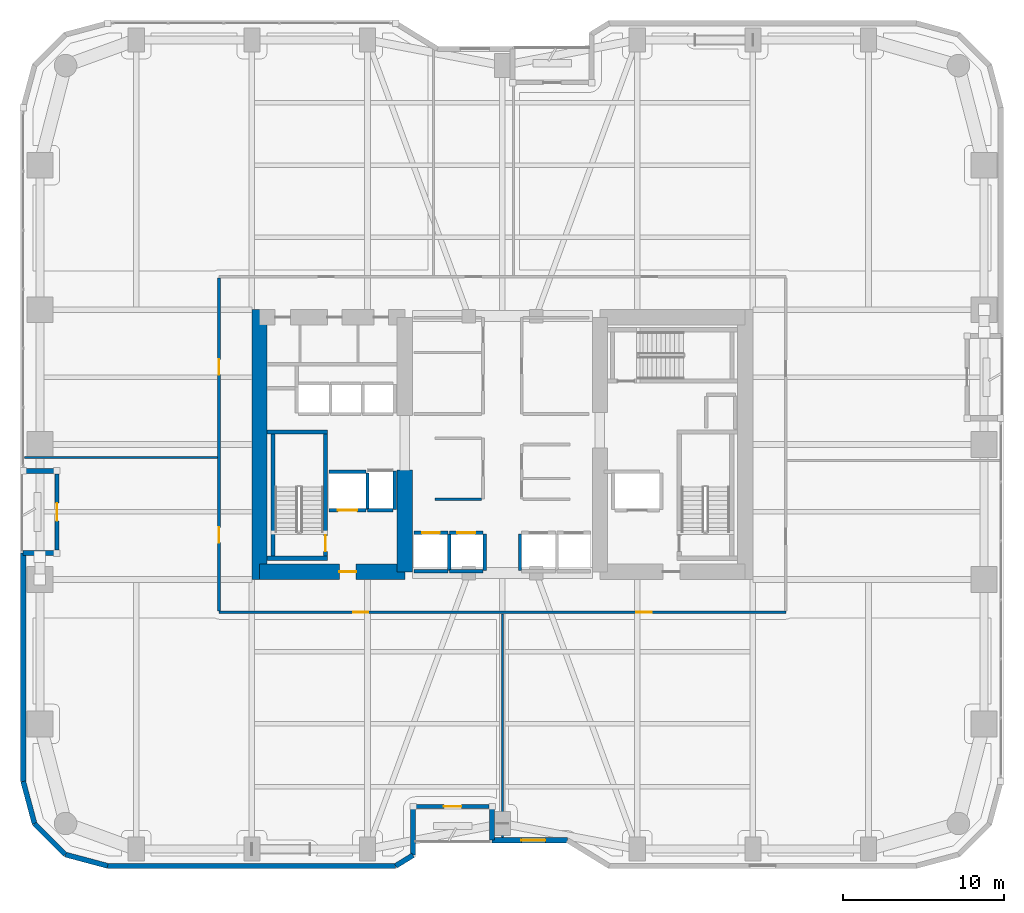
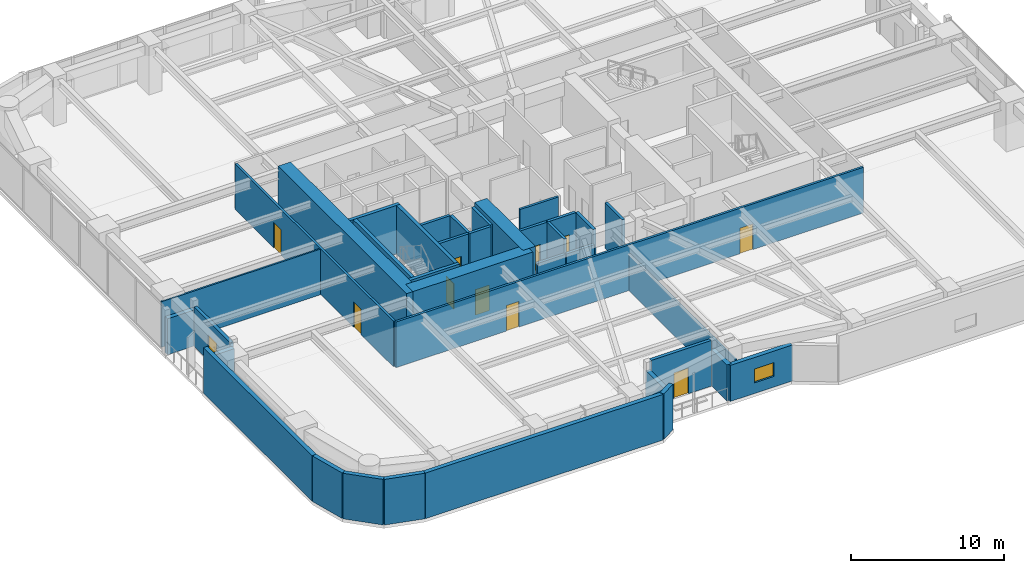
# One storey, part 22 of 29: 37 walls, 11 doors, 1 window, 12 openings.
"""IFC4 building model written with IfcOpenShell, lengths in metres."""

from ifc_helpers import new_model, si_unit, direction, frame, frame_2d, origin, place, context, subcontext, project, spatial, rectangle, extrude, material, layer, layer_set, type_object, element, fill, save


model = new_model("IFC4")

# Units and contexts
model_context = context("Model", 3, precision=1e-05, world=origin(), true_north=direction((0.0, 1.0)))
body_context = subcontext(model_context, "Body", "Model", "MODEL_VIEW")
ifc_project = project(units=[si_unit("LENGTHUNIT", "METRE"), si_unit("AREAUNIT", "SQUARE_METRE"), si_unit("VOLUMEUNIT", "CUBIC_METRE"), si_unit("PLANEANGLEUNIT", "RADIAN"), si_unit("MASSUNIT", "GRAM", prefix="KILO")], contexts=[model_context])

# Site, building, storey
site_placement = place(None, origin())
site = spatial("IfcSite", under=ifc_project, at=site_placement, CompositionType="ELEMENT")
building_placement = place(site_placement, origin())
building = spatial("IfcBuilding", under=site, at=building_placement, Name="Kiyonajd Concourse Tower", CompositionType="ELEMENT")
storey_placement = place(building_placement, frame((0.0, 0.0, 29.39990234375)))
storey = spatial("IfcBuildingStorey", under=building, at=storey_placement, Name="L08", CompositionType="ELEMENT", Elevation=29.39990234375)

# Walls
ifc_material_1 = material(Name="Concrete C80/95", Category="concrete")
ifc_layer_1 = layer(ifc_material_1, 0.949951171875)
ifc_layer_set_1 = layer_set([ifc_layer_1], Name="Concrete C80/95")
wall_type_1 = type_object("IfcWallType", Name="WL-CORE-950", PredefinedType="SHEAR", material=ifc_layer_set_1)
wall_1_placement = place(storey_placement, frame((32.875, 27.60009765625, 0.0), z_axis=(0.0, 0.0, 1.0), x_axis=(0.0, 1.0, 0.0)))
element("IfcWall", 1, at=wall_1_placement, inside=storey, type_object=wall_type_1, Name="L08 West Core Outer Shear Wall", PredefinedType="SHEAR", context=body_context, shape_type="SweptSolid", body=[
    extrude(rectangle(XDim=16.7998046875, YDim=0.949951171875, at=frame_2d((8.39990234375, 0.0))), origin(), (0.0, 0.0, 1.0), 3.900146484375),
])
wall_2_placement = place(storey_placement, frame((41.925048828125, 28.074951171875, 0.0), z_axis=(0.0, 0.0, 1.0), x_axis=(0.0, 1.0, 0.0)))
element("IfcWall", 2, at=wall_2_placement, inside=storey, type_object=wall_type_1, Name="L08 West Core Inner South Shear Wall", PredefinedType="SHEAR", context=body_context, shape_type="SweptSolid", body=[
    extrude(rectangle(XDim=6.324951171875, YDim=0.949951171875, at=frame_2d((3.16259765625, 0.0))), origin(), (0.0, 0.0, 1.0), 3.900146484375),
])

# Wall, opening, door
wall_3_placement = place(storey_placement, frame((32.875, 28.074951171875, 0.0), z_axis=(0.0, 0.0, 1.0), x_axis=(1.0, 0.0, 0.0)))
wall_3 = element("IfcWall", 3, at=wall_3_placement, inside=storey, type_object=wall_type_1, Name="L08 West Core South Shear Wall", PredefinedType="SHEAR", context=body_context, shape_type="SweptSolid", body=[
    extrude(rectangle(XDim=9.050048828125, YDim=0.949951171875, at=frame_2d((4.52490234375, 0.0))), origin(), (0.0, 0.0, 1.0), 3.900146484375),
])
opening_1_placement = place(wall_3_placement, frame((4.97509765625, 0.0, 0.0)))
opening_1 = element("IfcOpeningElement", 4, at=opening_1_placement, cuts=wall_3, Name="Opening DF5", PredefinedType="OPENING", context=body_context, shape_type="SweptSolid", body=[
    extrude(rectangle(XDim=1.050048828125, YDim=2.0400390625, at=frame_2d((0.52490234375, 1.02001953125))), frame((0.0, 0.48486328125, 0.0), z_axis=(0.0, -1.0, 0.0), x_axis=(1.0, 0.0, 0.0)), (0.0, 0.0, 1.0), 0.969970703125),
])
ifc_material_2 = material(Name="Brushed Stainless Steel Cab Assembly", Category="steel")
door_type_1 = type_object("IfcDoorType", Name="DR-FD45-1050", OperationType="NOTDEFINED", PredefinedType="DOOR", material=ifc_material_2)
door_1_placement = place(opening_1_placement, origin())
door_1 = element("IfcDoor", 5, at=door_1_placement, inside=storey, type_object=door_type_1, Name="L08 Firefighting Lift Lobby W Smoke Door", OperationType="SINGLE_SWING_LEFT", OverallHeight=2.0400390625, OverallWidth=1.050048828125, PredefinedType="DOOR", context=body_context, shape_type="SweptSolid", body=[
    extrude(rectangle(XDim=1.050048828125, YDim=2.0400390625, at=frame_2d((0.52490234375, 1.02001953125))), frame((0.0, 0.02490234375, 0.0), z_axis=(0.0, -1.0, 0.0), x_axis=(1.0, 0.0, 0.0)), (0.0, 0.0, 1.0), 0.050048828125),
])
fill(opening_1, door_1)

# Walls
ifc_material_3 = material(Name="Precast concrete C50/60", Category="concrete")
ifc_layer_2 = layer(ifc_material_3, 0.320068359375)
ifc_layer_set_2 = layer_set([ifc_layer_2], Name="Precast concrete C50/60")
wall_type_2 = type_object("IfcWallType", Name="WL-EXT-320", PredefinedType="SOLIDWALL", material=ifc_layer_set_2)
wall_4_placement = place(storey_placement, frame((18.866455078125, 12.3828125, 0.0), z_axis=(0.0, 0.0, 1.0), x_axis=(-0.25869736047, 0.965958423373, 0.0)))
element("IfcWall", 6, at=wall_4_placement, inside=storey, type_object=wall_type_2, Name="L08 Exterior Concrete Frame Wall 00", PredefinedType="SOLIDWALL", context=body_context, shape_type="SweptSolid", body=[
    extrude(rectangle(XDim=2.731201171875, YDim=0.320068359375, at=frame_2d((1.36572265625, 0.0))), origin(), (0.0, 0.0, 1.0), 3.64013671875),
])
wall_5_placement = place(storey_placement, frame((18.159912109375, 15.02099609375, 0.0), z_axis=(0.0, 0.0, 1.0), x_axis=(0.0, 1.0, 0.0)))
element("IfcWall", 7, at=wall_5_placement, inside=storey, type_object=wall_type_2, Name="L08 Exterior Concrete Frame Wall 01", PredefinedType="SOLIDWALL", context=body_context, shape_type="SweptSolid", body=[
    extrude(rectangle(XDim=14.218994140625, YDim=0.320068359375, at=frame_2d((7.109375, 0.0))), origin(), (0.0, 0.0, 1.0), 3.64013671875),
])
for number, where, z_axis, x_axis, name in (
    (8, (18.159912109375, 29.239990234375, 0.0), (0.0, 0.0, 1.0), (1.0, 0.0, 0.0), "L08 Exterior Concrete Frame Wall 02"),
    (9, (20.260009765625, 34.360107421875, 0.0), (0.0, 0.0, 1.0), (-1.0, 0.0, 0.0), "L08 Exterior Concrete Frame Wall 04"),
):
    element("IfcWall", number, at=place(storey_placement, frame(where, z_axis=z_axis, x_axis=x_axis)), inside=storey, type_object=wall_type_2, Name=name, PredefinedType="SOLIDWALL", context=body_context, shape_type="SweptSolid", body=[
        extrude(rectangle(XDim=2.10009765625, YDim=0.320068359375, at=frame_2d((1.050048828125, 0.0))), origin(), (0.0, 0.0, 1.0), 2.875),
    ])

# Wall, opening, window
wall_6_placement = place(storey_placement, frame((52.04541015625, 11.360107421875, 0.0), z_axis=(0.0, 0.0, 1.0), x_axis=(-1.0, 0.0, 0.0)))
wall_6 = element("IfcWall", 10, at=wall_6_placement, inside=storey, type_object=wall_type_2, Name="L08 Exterior Concrete Frame Wall 30", PredefinedType="SOLIDWALL", context=body_context, shape_type="SweptSolid", body=[
    extrude(rectangle(XDim=4.685302734375, YDim=0.320068359375, at=frame_2d((2.3427734375, 0.0))), origin(), (0.0, 0.0, 1.0), 2.875),
])
opening_2_placement = place(wall_6_placement, frame((1.367919921875, 0.0, 0.85009765625)))
opening_2 = element("IfcOpeningElement", 11, at=opening_2_placement, cuts=wall_6, Name="Opening WN2", PredefinedType="OPENING", context=body_context, shape_type="SweptSolid", body=[
    extrude(rectangle(XDim=1.5, YDim=1.10009765625, at=frame_2d((0.75, 0.550048828125))), frame((0.0, 0.169921875, 0.0), z_axis=(0.0, -1.0, 0.0), x_axis=(1.0, 0.0, 0.0)), (0.0, 0.0, 1.0), 0.340087890625),
])
ifc_material_4 = material(Name="Double Low-E Insulated Glass", Category="glass")
window_type = type_object("IfcWindowType", Name="WN-VIS-1500x1100", PartitioningType="SINGLE_PANEL", PredefinedType="WINDOW", material=ifc_material_4)
window_placement = place(opening_2_placement, origin())
window = element("IfcWindow", 12, at=window_placement, inside=storey, type_object=window_type, Name="L08 Modular Facade Vision Window 30", OverallHeight=1.10009765625, OverallWidth=1.5, PartitioningType="SINGLE_PANEL", PredefinedType="WINDOW", context=body_context, shape_type="SweptSolid", body=[
    extrude(rectangle(XDim=1.5, YDim=1.10009765625, at=frame_2d((0.75, 0.550048828125))), frame((0.0, 0.030029296875, 0.0), z_axis=(0.0, -1.0, 0.0), x_axis=(1.0, 0.0, 0.0)), (0.0, 0.0, 1.0), 0.06005859375),
])
fill(opening_2, window)

# Walls
wall_7_placement = place(storey_placement, frame((47.360107421875, 11.360107421875, 0.0), z_axis=(0.0, 0.0, 1.0), x_axis=(0.0, 1.0, 0.0)))
element("IfcWall", 13, at=wall_7_placement, inside=storey, type_object=wall_type_2, Name="L08 Exterior Concrete Frame Wall 31", PredefinedType="SOLIDWALL", context=body_context, shape_type="SweptSolid", body=[
    extrude(rectangle(XDim=2.099853515625, YDim=0.320068359375, at=frame_2d((1.0498046875, 0.0))), origin(), (0.0, 0.0, 1.0), 2.875),
])
wall_8_placement = place(storey_placement, frame((42.43994140625, 13.4599609375, 0.0), z_axis=(0.0, 0.0, 1.0), x_axis=(0.0, -1.0, 0.0)))
element("IfcWall", 14, at=wall_8_placement, inside=storey, type_object=wall_type_2, Name="L08 Exterior Concrete Frame Wall 33", PredefinedType="SOLIDWALL", context=body_context, shape_type="SweptSolid", body=[
    extrude(rectangle(XDim=3.032470703125, YDim=0.320068359375, at=frame_2d((1.51611328125, 0.0))), origin(), (0.0, 0.0, 1.0), 2.875),
])
wall_9_placement = place(storey_placement, frame((42.43994140625, 10.427490234375, 0.0), z_axis=(0.0, 0.0, 1.0), x_axis=(-0.851776724646, -0.523904964045, 0.0)))
element("IfcWall", 15, at=wall_9_placement, inside=storey, type_object=wall_type_2, Name="L08 Exterior Concrete Frame Wall 34", PredefinedType="SOLIDWALL", context=body_context, shape_type="SweptSolid", body=[
    extrude(rectangle(XDim=1.274169921875, YDim=0.320068359375, at=frame_2d((0.63720703125, 0.0))), origin(), (0.0, 0.0, 1.0), 3.64013671875),
])
wall_10_placement = place(storey_placement, frame((41.354736328125, 9.760009765625, 0.0), z_axis=(0.0, 0.0, 1.0), x_axis=(-1.0, 0.0, 0.0)))
element("IfcWall", 16, at=wall_10_placement, inside=storey, type_object=wall_type_2, Name="L08 Exterior Concrete Frame Wall 35", PredefinedType="SOLIDWALL", context=body_context, shape_type="SweptSolid", body=[
    extrude(rectangle(XDim=17.93359375, YDim=0.320068359375, at=frame_2d((8.966796875, 0.0))), origin(), (0.0, 0.0, 1.0), 3.64013671875),
])
wall_11_placement = place(storey_placement, frame((23.421142578125, 9.760009765625, 0.0), z_axis=(0.0, 0.0, 1.0), x_axis=(-0.965964405026, 0.25867502435, 0.0)))
element("IfcWall", 17, at=wall_11_placement, inside=storey, type_object=wall_type_2, Name="L08 Exterior Concrete Frame Wall 36", PredefinedType="SOLIDWALL", context=body_context, shape_type="SweptSolid", body=[
    extrude(rectangle(XDim=2.7314453125, YDim=0.320068359375, at=frame_2d((1.36572265625, 0.0))), origin(), (0.0, 0.0, 1.0), 3.64013671875),
])
wall_12_placement = place(storey_placement, frame((20.78271484375, 10.466552734375, 0.0), z_axis=(0.0, 0.0, 1.0), x_axis=(-0.707106781187, 0.707106781187, 0.0)))
element("IfcWall", 18, at=wall_12_placement, inside=storey, type_object=wall_type_2, Name="L08 Exterior Concrete Frame Wall 37", PredefinedType="SOLIDWALL", context=body_context, shape_type="SweptSolid", body=[
    extrude(rectangle(XDim=2.7099609375, YDim=0.320068359375, at=frame_2d((1.35498046875, 0.0))), origin(), (0.0, 0.0, 1.0), 3.64013671875),
])

# Wall, opening, door
ifc_layer_3 = layer(ifc_material_3, 0.239990234375)
ifc_layer_set_3 = layer_set([ifc_layer_3], Name="Precast concrete C50/60")
wall_type_3 = type_object("IfcWallType", Name="WL-LOG-240", PredefinedType="SOLIDWALL", material=ifc_layer_set_3)
wall_13_placement = place(storey_placement, frame((20.260009765625, 29.43505859375, 0.0), z_axis=(0.0, 0.0, 1.0), x_axis=(0.0, 1.0, 0.0)))
wall_13 = element("IfcWall", 19, at=wall_13_placement, inside=storey, type_object=wall_type_3, Name="L08 Recessed Loggia Thermal Wall LOG-W", PredefinedType="SOLIDWALL", context=body_context, shape_type="SweptSolid", body=[
    extrude(rectangle(XDim=4.72998046875, YDim=0.239990234375, at=frame_2d((2.364990234375, 0.0))), origin(), (0.0, 0.0, 1.0), 3.162109375),
])
opening_3_placement = place(wall_13_placement, frame((1.81494140625, 0.0, 0.0)))
opening_3 = element("IfcOpeningElement", 20, at=opening_3_placement, cuts=wall_13, Name="Opening DL2", PredefinedType="OPENING", context=body_context, shape_type="SweptSolid", body=[
    extrude(rectangle(XDim=1.10009765625, YDim=2.0400390625, at=frame_2d((0.550048828125, 1.02001953125))), frame((0.0, 0.1298828125, 0.0), z_axis=(0.0, -1.0, 0.0), x_axis=(1.0, 0.0, 0.0)), (0.0, 0.0, 1.0), 0.260009765625),
])
ifc_material_5 = material(Name="Thermally Broken Anodised Aluminium", Category="aluminium")
door_type_2 = type_object("IfcDoorType", Name="DR-LOG-1100", OperationType="NOTDEFINED", PredefinedType="DOOR", material=ifc_material_5)
door_2_placement = place(opening_3_placement, origin())
door_2 = element("IfcDoor", 21, at=door_2_placement, inside=storey, type_object=door_type_2, Name="L08 Engawa Loggia Access Door LOG-W", OperationType="SINGLE_SWING_LEFT", OverallHeight=2.0400390625, OverallWidth=1.10009765625, PredefinedType="DOOR", context=body_context, shape_type="SweptSolid", body=[
    extrude(rectangle(XDim=1.10009765625, YDim=2.0400390625, at=frame_2d((0.550048828125, 1.02001953125))), frame((0.0, 0.02490234375, 0.0), z_axis=(0.0, -1.0, 0.0), x_axis=(1.0, 0.0, 0.0)), (0.0, 0.0, 1.0), 0.050048828125),
])
fill(opening_3, door_2)

wall_14_placement = place(storey_placement, frame((47.1650390625, 13.4599609375, 0.0), z_axis=(0.0, 0.0, 1.0), x_axis=(-1.0, 0.0, 0.0)))
wall_14 = element("IfcWall", 22, at=wall_14_placement, inside=storey, type_object=wall_type_3, Name="L08 Recessed Loggia Thermal Wall LOG-S", PredefinedType="SOLIDWALL", context=body_context, shape_type="SweptSolid", body=[
    extrude(rectangle(XDim=4.530029296875, YDim=0.239990234375, at=frame_2d((2.26513671875, 0.0))), origin(), (0.0, 0.0, 1.0), 3.64013671875),
])
opening_4_placement = place(wall_14_placement, frame((1.715087890625, 0.0, 0.0)))
opening_4 = element("IfcOpeningElement", 23, at=opening_4_placement, cuts=wall_14, Name="Opening DL2", PredefinedType="OPENING", context=body_context, shape_type="SweptSolid", body=[
    extrude(rectangle(XDim=1.10009765625, YDim=2.0400390625, at=frame_2d((0.550048828125, 1.02001953125))), frame((0.0, 0.1298828125, 0.0), z_axis=(0.0, -1.0, 0.0), x_axis=(1.0, 0.0, 0.0)), (0.0, 0.0, 1.0), 0.260009765625),
])
door_3_placement = place(opening_4_placement, origin())
door_3 = element("IfcDoor", 24, at=door_3_placement, inside=storey, type_object=door_type_2, Name="L08 Engawa Loggia Access Door LOG-S", OperationType="SINGLE_SWING_RIGHT", OverallHeight=2.0400390625, OverallWidth=1.10009765625, PredefinedType="DOOR", context=body_context, shape_type="SweptSolid", body=[
    extrude(rectangle(XDim=1.10009765625, YDim=2.0400390625, at=frame_2d((0.550048828125, 1.02001953125))), frame((0.0, 0.02490234375, 0.0), z_axis=(0.0, -1.0, 0.0), x_axis=(1.0, 0.0, 0.0)), (0.0, 0.0, 1.0), 0.050048828125),
])
fill(opening_4, door_3)

# Walls
ifc_material_6 = material(Name="Gypsum Board on Cold-Formed Steel Stud", Category="steel")
ifc_layer_4 = layer(ifc_material_6, 0.125)
ifc_layer_set_4 = layer_set([ifc_layer_4], Name="Gypsum Board on Cold-Formed Steel Stud")
wall_type_4 = type_object("IfcWallType", Name="WL-PART-125", PredefinedType="PARTITIONING", material=ifc_layer_set_4)
wall_15_placement = place(storey_placement, frame((48.0, 11.514892578125, 0.0), z_axis=(0.0, 0.0, 1.0), x_axis=(0.0, 1.0, 0.0)))
element("IfcWall", 25, at=wall_15_placement, inside=storey, type_object=wall_type_4, Name="L08 Interior Partition Wall", PredefinedType="PARTITIONING", context=body_context, shape_type="SweptSolid", body=[
    extrude(rectangle(XDim=13.947998046875, YDim=0.125, at=frame_2d((6.97412109375, 0.0))), origin(), (0.0, 0.0, 1.0), 2.93017578125),
])
wall_16_placement = place(storey_placement, frame((18.2451171875, 35.199951171875, 0.0), z_axis=(0.0, 0.0, 1.0), x_axis=(1.0, 0.0, 0.0)))
element("IfcWall", 26, at=wall_16_placement, inside=storey, type_object=wall_type_4, Name="L08 Interior Partition Wall", PredefinedType="PARTITIONING", context=body_context, shape_type="SweptSolid", body=[
    extrude(rectangle(XDim=12.017822265625, YDim=0.125, at=frame_2d((6.0087890625, 0.0))), origin(), (0.0, 0.0, 1.0), 3.64013671875),
])

# Wall, opening, door
ifc_layer_5 = layer(ifc_material_6, 0.2099609375)
ifc_layer_set_5 = layer_set([ifc_layer_5], Name="Gypsum Board on Cold-Formed Steel Stud")
wall_type_5 = type_object("IfcWallType", Name="WL-SHAFT-210", PredefinedType="PARTITIONING", material=ifc_layer_set_5)
wall_17_placement = place(storey_placement, frame((37.199951171875, 31.89990234375, 0.0), z_axis=(0.0, 0.0, 1.0), x_axis=(1.0, 0.0, 0.0)))
wall_17 = element("IfcWall", 27, at=wall_17_placement, inside=storey, type_object=wall_type_5, Name="L08 Shaft Enclosure Wall", PredefinedType="PARTITIONING", context=body_context, shape_type="SweptSolid", body=[
    extrude(rectangle(XDim=2.300048828125, YDim=0.2099609375, at=frame_2d((1.14990234375, 0.0))), origin(), (0.0, 0.0, 1.0), 3.64013671875),
])
opening_5_placement = place(wall_17_placement, frame((0.550048828125, 0.0, 0.0)))
opening_5 = element("IfcOpeningElement", 28, at=opening_5_placement, cuts=wall_17, Name="Opening LD2", PredefinedType="OPENING", context=body_context, shape_type="SweptSolid", body=[
    extrude(rectangle(XDim=1.199951171875, YDim=2.0400390625, at=frame_2d((0.60009765625, 1.02001953125))), frame((0.0, 0.114990234375, 0.0), z_axis=(0.0, -1.0, 0.0), x_axis=(1.0, 0.0, 0.0)), (0.0, 0.0, 1.0), 0.22998046875),
])
door_type_3 = type_object("IfcDoorType", Name="DR-LD-1200", OperationType="DOUBLE_DOOR_SLIDING", PredefinedType="DOOR", material=ifc_material_2)
door_4_placement = place(opening_5_placement, origin())
door_4 = element("IfcDoor", 29, at=door_4_placement, inside=storey, type_object=door_type_3, Name="L08 Lift FFL1 Sliding Landing Door", OperationType="DOUBLE_DOOR_SLIDING", OverallHeight=2.0400390625, OverallWidth=1.199951171875, PredefinedType="DOOR", context=body_context, shape_type="SweptSolid", body=[
    extrude(rectangle(XDim=1.199951171875, YDim=2.0400390625, at=frame_2d((0.60009765625, 1.02001953125))), frame((0.0, 0.02490234375, 0.0), z_axis=(0.0, -1.0, 0.0), x_axis=(1.0, 0.0, 0.0)), (0.0, 0.0, 1.0), 0.050048828125),
])
fill(opening_5, door_4)

# Walls
wall_18_placement = place(storey_placement, frame((37.199951171875, 34.300048828125, 0.0), z_axis=(0.0, 0.0, 1.0), x_axis=(1.0, 0.0, 0.0)))
element("IfcWall", 30, at=wall_18_placement, inside=storey, type_object=wall_type_5, Name="L08 Shaft Enclosure Wall", PredefinedType="PARTITIONING", context=body_context, shape_type="SweptSolid", body=[
    extrude(rectangle(XDim=2.300048828125, YDim=0.2099609375, at=frame_2d((1.14990234375, 0.0))), origin(), (0.0, 0.0, 1.0), 3.64013671875),
])
wall_19_placement = place(storey_placement, frame((39.60009765625, 31.9599609375, 0.0), z_axis=(0.0, 0.0, 1.0), x_axis=(0.0, 1.0, 0.0)))
element("IfcWall", 31, at=wall_19_placement, inside=storey, type_object=wall_type_5, Name="L08 Shaft Enclosure Wall", PredefinedType="PARTITIONING", context=body_context, shape_type="SweptSolid", body=[
    extrude(rectangle(XDim=2.280029296875, YDim=0.2099609375, at=frame_2d((1.14013671875, 0.0))), origin(), (0.0, 0.0, 1.0), 3.64013671875),
])
wall_20_placement = place(storey_placement, frame((39.60009765625, 31.89990234375, 0.0), z_axis=(0.0, 0.0, 1.0), x_axis=(1.0, 0.0, 0.0)))
element("IfcWall", 32, at=wall_20_placement, inside=storey, type_object=wall_type_5, Name="L08 Shaft Enclosure Wall", PredefinedType="PARTITIONING", context=body_context, shape_type="SweptSolid", body=[
    extrude(rectangle(XDim=1.599853515625, YDim=0.2099609375, at=frame_2d((0.7998046875, 0.0))), origin(), (0.0, 0.0, 1.0), 3.64013671875),
])
wall_21_placement = place(storey_placement, frame((41.300048828125, 31.9599609375, 0.0), z_axis=(0.0, 0.0, 1.0), x_axis=(0.0, 1.0, 0.0)))
element("IfcWall", 33, at=wall_21_placement, inside=storey, type_object=wall_type_5, Name="L08 Shaft Enclosure Wall", PredefinedType="PARTITIONING", context=body_context, shape_type="SweptSolid", body=[
    extrude(rectangle(XDim=2.380126953125, YDim=0.2099609375, at=frame_2d((1.18994140625, 0.0))), origin(), (0.0, 0.0, 1.0), 3.64013671875),
])

# Wall, opening, door
wall_22_placement = place(storey_placement, frame((42.5, 30.5, 0.0), z_axis=(0.0, 0.0, 1.0), x_axis=(1.0, 0.0, 0.0)))
wall_22 = element("IfcWall", 34, at=wall_22_placement, inside=storey, type_object=wall_type_5, Name="L08 Shaft Enclosure Wall", PredefinedType="PARTITIONING", context=body_context, shape_type="SweptSolid", body=[
    extrude(rectangle(XDim=2.10009765625, YDim=0.2099609375, at=frame_2d((1.050048828125, 0.0))), origin(), (0.0, 0.0, 1.0), 3.64013671875),
])
opening_6_placement = place(wall_22_placement, frame((0.5, 0.0, 0.0)))
opening_6 = element("IfcOpeningElement", 35, at=opening_6_placement, cuts=wall_22, Name="Opening LD1", PredefinedType="OPENING", context=body_context, shape_type="SweptSolid", body=[
    extrude(rectangle(XDim=1.10009765625, YDim=2.0400390625, at=frame_2d((0.550048828125, 1.02001953125))), frame((0.0, 0.114990234375, 0.0), z_axis=(0.0, -1.0, 0.0), x_axis=(1.0, 0.0, 0.0)), (0.0, 0.0, 1.0), 0.22998046875),
])
door_type_4 = type_object("IfcDoorType", Name="DR-LD-1100", OperationType="DOUBLE_DOOR_SLIDING", PredefinedType="DOOR", material=ifc_material_2)
door_5_placement = place(opening_6_placement, origin())
door_5 = element("IfcDoor", 36, at=door_5_placement, inside=storey, type_object=door_type_4, Name="L08 Lift PL-L1 Sliding Landing Door", OperationType="DOUBLE_DOOR_SLIDING", OverallHeight=2.0400390625, OverallWidth=1.10009765625, PredefinedType="DOOR", context=body_context, shape_type="SweptSolid", body=[
    extrude(rectangle(XDim=1.10009765625, YDim=2.0400390625, at=frame_2d((0.550048828125, 1.02001953125))), frame((0.0, 0.02490234375, 0.0), z_axis=(0.0, -1.0, 0.0), x_axis=(1.0, 0.0, 0.0)), (0.0, 0.0, 1.0), 0.050048828125),
])
fill(opening_6, door_5)

# Walls
wall_23_placement = place(storey_placement, frame((42.5, 28.10009765625, 0.0), z_axis=(0.0, 0.0, 1.0), x_axis=(1.0, 0.0, 0.0)))
element("IfcWall", 37, at=wall_23_placement, inside=storey, type_object=wall_type_5, Name="L08 Shaft Enclosure Wall", PredefinedType="PARTITIONING", context=body_context, shape_type="SweptSolid", body=[
    extrude(rectangle(XDim=2.10009765625, YDim=0.2099609375, at=frame_2d((1.050048828125, 0.0))), origin(), (0.0, 0.0, 1.0), 2.525146484375),
])
wall_24_placement = place(storey_placement, frame((44.699951171875, 28.159912109375, 0.0), z_axis=(0.0, 0.0, 1.0), x_axis=(0.0, 1.0, 0.0)))
element("IfcWall", 38, at=wall_24_placement, inside=storey, type_object=wall_type_5, Name="L08 Shaft Enclosure Wall", PredefinedType="PARTITIONING", context=body_context, shape_type="SweptSolid", body=[
    extrude(rectangle(XDim=2.280029296875, YDim=0.2099609375, at=frame_2d((1.14013671875, 0.0))), origin(), (0.0, 0.0, 1.0), 3.64013671875),
])

# Wall, opening, door
wall_25_placement = place(storey_placement, frame((44.699951171875, 30.5, 0.0), z_axis=(0.0, 0.0, 1.0), x_axis=(1.0, 0.0, 0.0)))
wall_25 = element("IfcWall", 39, at=wall_25_placement, inside=storey, type_object=wall_type_5, Name="L08 Shaft Enclosure Wall", PredefinedType="PARTITIONING", context=body_context, shape_type="SweptSolid", body=[
    extrude(rectangle(XDim=2.10009765625, YDim=0.2099609375, at=frame_2d((1.050048828125, 0.0))), origin(), (0.0, 0.0, 1.0), 3.64013671875),
])
opening_7_placement = place(wall_25_placement, frame((0.5, 0.0, 0.0)))
opening_7 = element("IfcOpeningElement", 40, at=opening_7_placement, cuts=wall_25, Name="Opening LD1", PredefinedType="OPENING", context=body_context, shape_type="SweptSolid", body=[
    extrude(rectangle(XDim=1.10009765625, YDim=2.0400390625, at=frame_2d((0.550048828125, 1.02001953125))), frame((0.0, 0.114990234375, 0.0), z_axis=(0.0, -1.0, 0.0), x_axis=(1.0, 0.0, 0.0)), (0.0, 0.0, 1.0), 0.22998046875),
])
door_6_placement = place(opening_7_placement, origin())
door_6 = element("IfcDoor", 41, at=door_6_placement, inside=storey, type_object=door_type_4, Name="L08 Lift PL-L2 Sliding Landing Door", OperationType="DOUBLE_DOOR_SLIDING", OverallHeight=2.0400390625, OverallWidth=1.10009765625, PredefinedType="DOOR", context=body_context, shape_type="SweptSolid", body=[
    extrude(rectangle(XDim=1.10009765625, YDim=2.0400390625, at=frame_2d((0.550048828125, 1.02001953125))), frame((0.0, 0.02490234375, 0.0), z_axis=(0.0, -1.0, 0.0), x_axis=(1.0, 0.0, 0.0)), (0.0, 0.0, 1.0), 0.050048828125),
])
fill(opening_7, door_6)

# Walls
wall_26_placement = place(storey_placement, frame((44.699951171875, 28.10009765625, 0.0), z_axis=(0.0, 0.0, 1.0), x_axis=(1.0, 0.0, 0.0)))
element("IfcWall", 42, at=wall_26_placement, inside=storey, type_object=wall_type_5, Name="L08 Shaft Enclosure Wall", PredefinedType="PARTITIONING", context=body_context, shape_type="SweptSolid", body=[
    extrude(rectangle(XDim=2.10009765625, YDim=0.2099609375, at=frame_2d((1.050048828125, 0.0))), origin(), (0.0, 0.0, 1.0), 2.525146484375),
])
for number, where, z_axis, x_axis, name in (
    (43, (46.89990234375, 28.159912109375, 0.0), (0.0, 0.0, 1.0), (0.0, 1.0, 0.0), "L08 Shaft Enclosure Wall"),
    (44, (49.10009765625, 28.159912109375, 0.0), (0.0, 0.0, 1.0), (0.0, 1.0, 0.0), "L08 Shaft Enclosure Wall"),
):
    element("IfcWall", number, at=place(storey_placement, frame(where, z_axis=z_axis, x_axis=x_axis)), inside=storey, type_object=wall_type_5, Name=name, PredefinedType="PARTITIONING", context=body_context, shape_type="SweptSolid", body=[
        extrude(rectangle(XDim=2.280029296875, YDim=0.2099609375, at=frame_2d((1.14013671875, 0.0))), origin(), (0.0, 0.0, 1.0), 3.64013671875),
    ])
ifc_layer_6 = layer(ifc_material_6, 0.169921875)
ifc_layer_set_6 = layer_set([ifc_layer_6], Name="Gypsum Board on Cold-Formed Steel Stud")
wall_type_6 = type_object("IfcWallType", Name="WL-SMK-170", PredefinedType="PARTITIONING", material=ifc_layer_set_6)
wall_27_placement = place(storey_placement, frame((43.800048828125, 32.60009765625, 0.0), z_axis=(0.0, 0.0, 1.0), x_axis=(1.0, 0.0, 0.0)))
element("IfcWall", 45, at=wall_27_placement, inside=storey, type_object=wall_type_6, Name="L08 Interior Partition Wall", PredefinedType="PARTITIONING", context=body_context, shape_type="SweptSolid", body=[
    extrude(rectangle(XDim=2.912841796875, YDim=0.169921875, at=frame_2d((1.45654296875, 0.0))), origin(), (0.0, 0.0, 1.0), 3.64013671875),
])

# Wall, openings, doors
wall_28_placement = place(storey_placement, frame((30.35009765625, 25.550048828125, 0.0), z_axis=(0.0, 0.0, 1.0), x_axis=(1.0, 0.0, 0.0)))
wall_28 = element("IfcWall", 46, at=wall_28_placement, inside=storey, type_object=wall_type_6, Name="L08 Interior Partition Wall", PredefinedType="PARTITIONING", context=body_context, shape_type="SweptSolid", body=[
    extrude(rectangle(XDim=35.2998046875, YDim=0.169921875, at=frame_2d((17.64990234375, 0.0))), origin(), (0.0, 0.0, 1.0), 3.64013671875),
])
opening_8_placement = place(wall_28_placement, frame((8.35009765625, 0.0, 0.0)))
opening_8 = element("IfcOpeningElement", 47, at=opening_8_placement, cuts=wall_28, Name="Opening DI1", PredefinedType="OPENING", context=body_context, shape_type="SweptSolid", body=[
    extrude(rectangle(XDim=0.949951171875, YDim=2.0400390625, at=frame_2d((0.47509765625, 1.02001953125))), frame((0.0, 0.094970703125, 0.0), z_axis=(0.0, -1.0, 0.0), x_axis=(1.0, 0.0, 0.0)), (0.0, 0.0, 1.0), 0.18994140625),
])
opening_9_placement = place(wall_28_placement, frame((26.0, 0.0, 0.0)))
opening_9 = element("IfcOpeningElement", 48, at=opening_9_placement, cuts=wall_28, Name="Opening DI1", PredefinedType="OPENING", context=body_context, shape_type="SweptSolid", body=[
    extrude(rectangle(XDim=0.949951171875, YDim=2.0400390625, at=frame_2d((0.47509765625, 1.02001953125))), frame((0.0, 0.094970703125, 0.0), z_axis=(0.0, -1.0, 0.0), x_axis=(1.0, 0.0, 0.0)), (0.0, 0.0, 1.0), 0.18994140625),
])
ifc_material_7 = material(Name="Natural Oak Acoustic Timber Veneer", Category="wood")
door_type_5 = type_object("IfcDoorType", Name="DR-INT-950", OperationType="NOTDEFINED", PredefinedType="DOOR", material=ifc_material_7)
door_7_placement = place(opening_8_placement, origin())
door_7 = element("IfcDoor", 49, at=door_7_placement, inside=storey, type_object=door_type_5, Name="L08 Interior Door", OperationType="SINGLE_SWING_RIGHT", OverallHeight=2.0400390625, OverallWidth=0.949951171875, PredefinedType="DOOR", context=body_context, shape_type="SweptSolid", body=[
    extrude(rectangle(XDim=0.949951171875, YDim=2.0400390625, at=frame_2d((0.47509765625, 1.02001953125))), frame((0.0, 0.02490234375, 0.0), z_axis=(0.0, -1.0, 0.0), x_axis=(1.0, 0.0, 0.0)), (0.0, 0.0, 1.0), 0.050048828125),
])
fill(opening_8, door_7)
door_8_placement = place(opening_9_placement, origin())
door_8 = element("IfcDoor", 50, at=door_8_placement, inside=storey, type_object=door_type_5, Name="L08 Interior Door", OperationType="SINGLE_SWING_LEFT", OverallHeight=2.0400390625, OverallWidth=0.949951171875, PredefinedType="DOOR", context=body_context, shape_type="SweptSolid", body=[
    extrude(rectangle(XDim=0.949951171875, YDim=2.0400390625, at=frame_2d((0.47509765625, 1.02001953125))), frame((0.0, 0.02490234375, 0.0), z_axis=(0.0, -1.0, 0.0), x_axis=(1.0, 0.0, 0.0)), (0.0, 0.0, 1.0), 0.050048828125),
])
fill(opening_9, door_8)

wall_29_placement = place(storey_placement, frame((30.35009765625, 25.636962890625, 0.0), z_axis=(0.0, 0.0, 1.0), x_axis=(0.0, 1.0, 0.0)))
wall_29 = element("IfcWall", 51, at=wall_29_placement, inside=storey, type_object=wall_type_6, Name="L08 Interior Partition Wall", PredefinedType="PARTITIONING", context=body_context, shape_type="SweptSolid", body=[
    extrude(rectangle(XDim=20.72607421875, YDim=0.169921875, at=frame_2d((10.363037109375, 0.0))), origin(), (0.0, 0.0, 1.0), 3.64013671875),
])
opening_10_placement = place(wall_29_placement, frame((4.262939453125, 0.0, 0.0)))
opening_10 = element("IfcOpeningElement", 52, at=opening_10_placement, cuts=wall_29, Name="Opening DI1", PredefinedType="OPENING", context=body_context, shape_type="SweptSolid", body=[
    extrude(rectangle(XDim=0.949951171875, YDim=2.0400390625, at=frame_2d((0.47509765625, 1.02001953125))), frame((0.0, 0.094970703125, 0.0), z_axis=(0.0, -1.0, 0.0), x_axis=(1.0, 0.0, 0.0)), (0.0, 0.0, 1.0), 0.18994140625),
])
opening_11_placement = place(wall_29_placement, frame((14.712890625, 0.0, 0.0)))
opening_11 = element("IfcOpeningElement", 53, at=opening_11_placement, cuts=wall_29, Name="Opening DI1", PredefinedType="OPENING", context=body_context, shape_type="SweptSolid", body=[
    extrude(rectangle(XDim=0.949951171875, YDim=2.0400390625, at=frame_2d((0.47509765625, 1.02001953125))), frame((0.0, 0.094970703125, 0.0), z_axis=(0.0, -1.0, 0.0), x_axis=(1.0, 0.0, 0.0)), (0.0, 0.0, 1.0), 0.18994140625),
])
door_9_placement = place(opening_10_placement, origin())
door_9 = element("IfcDoor", 54, at=door_9_placement, inside=storey, type_object=door_type_5, Name="L08 Interior Door", OperationType="SINGLE_SWING_LEFT", OverallHeight=2.0400390625, OverallWidth=0.949951171875, PredefinedType="DOOR", context=body_context, shape_type="SweptSolid", body=[
    extrude(rectangle(XDim=0.949951171875, YDim=2.0400390625, at=frame_2d((0.47509765625, 1.02001953125))), frame((0.0, 0.02490234375, 0.0), z_axis=(0.0, -1.0, 0.0), x_axis=(1.0, 0.0, 0.0)), (0.0, 0.0, 1.0), 0.050048828125),
])
fill(opening_10, door_9)
door_10_placement = place(opening_11_placement, origin())
door_10 = element("IfcDoor", 55, at=door_10_placement, inside=storey, type_object=door_type_5, Name="L08 Interior Door", OperationType="SINGLE_SWING_RIGHT", OverallHeight=2.0400390625, OverallWidth=0.949951171875, PredefinedType="DOOR", context=body_context, shape_type="SweptSolid", body=[
    extrude(rectangle(XDim=0.949951171875, YDim=2.0400390625, at=frame_2d((0.47509765625, 1.02001953125))), frame((0.0, 0.02490234375, 0.0), z_axis=(0.0, -1.0, 0.0), x_axis=(1.0, 0.0, 0.0)), (0.0, 0.0, 1.0), 0.050048828125),
])
fill(opening_11, door_10)

# Walls
ifc_material_8 = material(Name="Concrete C50/60", Category="concrete")
ifc_layer_7 = layer(ifc_material_8, 0.260009765625)
ifc_layer_set_7 = layer_set([ifc_layer_7], Name="Concrete C50/60")
wall_type_7 = type_object("IfcWallType", Name="WL-STAIR-260", PredefinedType="SHEAR", material=ifc_layer_set_7)
for number, where, z_axis, x_axis, name in (
    (56, (33.35009765625, 28.919921875, 0.0), (0.0, 0.0, 1.0), (1.0, 0.0, 0.0), "L08 Stair ST1 Structural South Wall"),
    (57, (33.35009765625, 36.780029296875, 0.0), (0.0, 0.0, 1.0), (1.0, 0.0, 0.0), "L08 Stair ST1 Structural North Wall"),
):
    element("IfcWall", number, at=place(storey_placement, frame(where, z_axis=z_axis, x_axis=x_axis)), inside=storey, type_object=wall_type_7, Name=name, PredefinedType="SHEAR", context=body_context, shape_type="SweptSolid", body=[
        extrude(rectangle(XDim=3.760009765625, YDim=0.260009765625, at=frame_2d((1.8798828125, 0.0))), origin(), (0.0, 0.0, 1.0), 3.900146484375),
    ])
wall_30_placement = place(storey_placement, frame((33.719970703125, 29.050048828125, 0.0), z_axis=(0.0, 0.0, 1.0), x_axis=(0.0, 1.0, 0.0)))
element("IfcWall", 58, at=wall_30_placement, inside=storey, type_object=wall_type_7, Name="L08 Stair ST1 Structural West Wall", PredefinedType="SHEAR", context=body_context, shape_type="SweptSolid", body=[
    extrude(rectangle(XDim=7.599853515625, YDim=0.260009765625, at=frame_2d((3.7998046875, 0.0))), origin(), (0.0, 0.0, 1.0), 3.900146484375),
])

# Wall, opening, door
wall_31_placement = place(storey_placement, frame((36.97998046875, 29.050048828125, 0.0), z_axis=(0.0, 0.0, 1.0), x_axis=(0.0, 1.0, 0.0)))
wall_31 = element("IfcWall", 59, at=wall_31_placement, inside=storey, type_object=wall_type_7, Name="L08 Stair ST1 Structural East Wall", PredefinedType="SHEAR", context=body_context, shape_type="SweptSolid", body=[
    extrude(rectangle(XDim=7.599853515625, YDim=0.260009765625, at=frame_2d((3.7998046875, 0.0))), origin(), (0.0, 0.0, 1.0), 3.900146484375),
])
opening_12_placement = place(wall_31_placement, frame((0.300048828125, 0.0, 0.0)))
opening_12 = element("IfcOpeningElement", 60, at=opening_12_placement, cuts=wall_31, Name="Opening DF1", PredefinedType="OPENING", context=body_context, shape_type="SweptSolid", body=[
    extrude(rectangle(XDim=1.0, YDim=2.0400390625, at=frame_2d((0.5, 1.02001953125))), frame((0.0, 0.139892578125, 0.0), z_axis=(0.0, -1.0, 0.0), x_axis=(1.0, 0.0, 0.0)), (0.0, 0.0, 1.0), 0.280029296875),
])
door_type_6 = type_object("IfcDoorType", Name="DR-FD90-1000", OperationType="NOTDEFINED", PredefinedType="DOOR", material=ifc_material_2)
door_11_placement = place(opening_12_placement, origin())
door_11 = element("IfcDoor", 61, at=door_11_placement, inside=storey, type_object=door_type_6, Name="L08 Stair ST1 FSAE Door", OperationType="SINGLE_SWING_LEFT", OverallHeight=2.0400390625, OverallWidth=1.0, PredefinedType="DOOR", context=body_context, shape_type="SweptSolid", body=[
    extrude(rectangle(XDim=1.0, YDim=2.0400390625, at=frame_2d((0.5, 1.02001953125))), frame((0.0, 0.02490234375, 0.0), z_axis=(0.0, -1.0, 0.0), x_axis=(1.0, 0.0, 0.0)), (0.0, 0.0, 1.0), 0.050048828125),
])
fill(opening_12, door_11)

save(model, "model.ifc")
